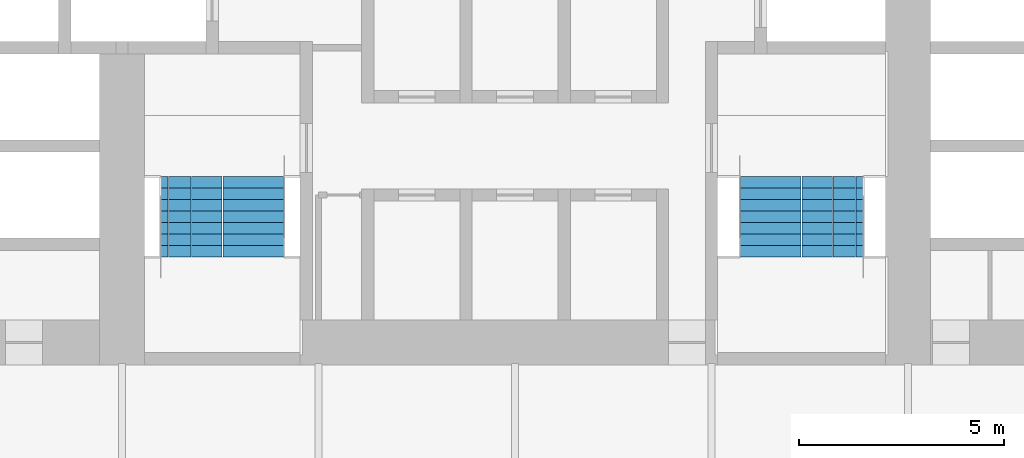
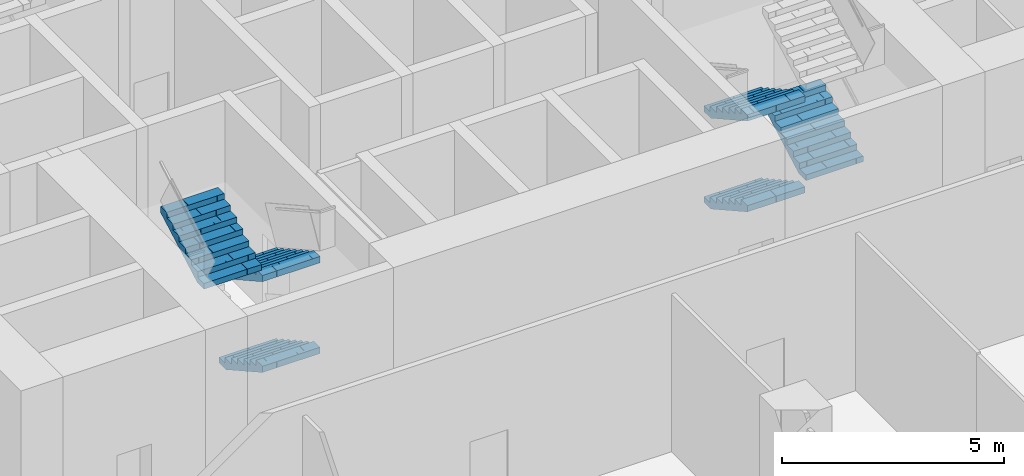
# One storey, part 25 of 34: 6 stair flights, 2 elements without a shape of their own.
"""IFC4 building model written with IfcOpenShell, lengths in metres."""

from ifc_helpers import new_model, si_unit, direction, frame, origin, place, context, subcontext, project, spatial, polyline, outline, extrude, material, type_object, element, aggregate, save


model = new_model("IFC4")

# Units and contexts
model_context = context("Model", 3, precision=1e-05, world=origin(), true_north=direction((0.0, 1.0)))
body_context = subcontext(model_context, "Body", "Model", "MODEL_VIEW")
ifc_project = project(units=[si_unit("LENGTHUNIT", "METRE"), si_unit("AREAUNIT", "SQUARE_METRE"), si_unit("VOLUMEUNIT", "CUBIC_METRE"), si_unit("PLANEANGLEUNIT", "RADIAN"), si_unit("MASSUNIT", "GRAM", prefix="KILO")], contexts=[model_context])

# Site, building, storey
site_placement = place(None, origin())
site = spatial("IfcSite", under=ifc_project, at=site_placement, CompositionType="ELEMENT")
building_placement = place(site_placement, origin())
building = spatial("IfcBuilding", under=site, at=building_placement, Name="Kolab Exchange Tower", CompositionType="ELEMENT")
storey_placement = place(building_placement, frame((0.0, 0.0, 12.39990234375)))
storey = spatial("IfcBuildingStorey", under=building, at=storey_placement, Name="L02", CompositionType="ELEMENT", Elevation=12.39990234375)

# Stair, stair flights
ifc_material = material(Name="Concrete C50/60", Category="concrete")
stair_type_1 = type_object("IfcStairType", Name="STAIR ST3 RISER 156.2", PredefinedType="DOUBLE_RETURN_STAIR", material=ifc_material)
stair_1_placement = place(storey_placement, origin())
stair_1 = element("IfcStair", 1, at=stair_1_placement, inside=storey, type_object=stair_type_1, Name="Stair 3", PredefinedType="DOUBLE_RETURN_STAIR")
stair_flight_type = type_object("IfcStairFlightType", Name="STAIR FLIGHT 1500 RISER 156.2", PredefinedType="STRAIGHT", material=ifc_material)
stair_flight_1_placement = place(storey_placement, frame((-6.389892578125, -5.550048828125, 0.0), z_axis=(0.0, 0.0, 1.0), x_axis=(0.0, -1.0, 0.0)))
stair_flight_1 = element("IfcStairFlight", 2, at=stair_flight_1_placement, type_object=stair_flight_type, Name="ST3 flight 1", NumberOfRisers=8, NumberOfTreads=7, PredefinedType="STRAIGHT", RiserHeight=0.15625, TreadLength=0.28, context=body_context, shape_type="SweptSolid", body=[
    extrude(outline(polyline([(0.0, 0.0), (0.0, 0.15625), (0.280029296875, 0.15625), (0.280029296875, 0.3125), (0.56005859375, 0.3125), (0.56005859375, 0.46875), (0.840087890625, 0.46875), (0.840087890625, 0.625), (1.1201171875, 0.625), (1.1201171875, 0.78125), (1.39990234375, 0.78125), (1.39990234375, 0.9375), (1.679931640625, 0.9375), (1.679931640625, 1.09375), (1.9599609375, 1.09375), (1.9599609375, 1.25), (1.9599609375, 0.922119140625), (0.3076171875, 0.0), (0.0, 0.0)])), frame((0.0, 0.75, 0.0), z_axis=(0.0, -1.0, 0.0), x_axis=(1.0, 0.0, 0.0)), (0.0, 0.0, 1.0), 0.185791015625),
    extrude(outline(polyline([(0.0, 0.0), (0.0, 0.15625), (0.280029296875, 0.15625), (0.280029296875, 0.3125), (0.56005859375, 0.3125), (0.56005859375, 0.46875), (0.840087890625, 0.46875), (0.840087890625, 0.625), (1.1201171875, 0.625), (1.1201171875, 0.78125), (1.39990234375, 0.78125), (1.39990234375, 0.9375), (1.679931640625, 0.9375), (1.679931640625, 1.09375), (1.9599609375, 1.09375), (1.9599609375, 1.25), (1.9599609375, 0.922119140625), (0.3076171875, 0.0), (0.0, 0.0)])), frame((0.0, 0.562255859375, 0.0), z_axis=(0.0, -1.0, 0.0), x_axis=(1.0, 0.0, 0.0)), (0.0, 0.0, 1.0), 0.185791015625),
    extrude(outline(polyline([(0.0, 0.0), (0.0, 0.15625), (0.280029296875, 0.15625), (0.280029296875, 0.3125), (0.56005859375, 0.3125), (0.56005859375, 0.46875), (0.840087890625, 0.46875), (0.840087890625, 0.625), (1.1201171875, 0.625), (1.1201171875, 0.78125), (1.39990234375, 0.78125), (1.39990234375, 0.9375), (1.679931640625, 0.9375), (1.679931640625, 1.09375), (1.9599609375, 1.09375), (1.9599609375, 1.25), (1.9599609375, 0.922119140625), (0.3076171875, 0.0), (0.0, 0.0)])), frame((0.0, 0.37451171875, 0.0), z_axis=(0.0, -1.0, 0.0), x_axis=(1.0, 0.0, 0.0)), (0.0, 0.0, 1.0), 0.185791015625),
    extrude(outline(polyline([(0.0, 0.0), (0.0, 0.15625), (0.280029296875, 0.15625), (0.280029296875, 0.3125), (0.56005859375, 0.3125), (0.56005859375, 0.46875), (0.840087890625, 0.46875), (0.840087890625, 0.625), (1.1201171875, 0.625), (1.1201171875, 0.78125), (1.39990234375, 0.78125), (1.39990234375, 0.9375), (1.679931640625, 0.9375), (1.679931640625, 1.09375), (1.9599609375, 1.09375), (1.9599609375, 1.25), (1.9599609375, 0.922119140625), (0.3076171875, 0.0), (0.0, 0.0)])), frame((0.0, 0.186767578125, 0.0), z_axis=(0.0, -1.0, 0.0), x_axis=(1.0, 0.0, 0.0)), (0.0, 0.0, 1.0), 0.185791015625),
    extrude(outline(polyline([(0.0, 0.0), (0.0, 0.15625), (0.280029296875, 0.15625), (0.280029296875, 0.3125), (0.56005859375, 0.3125), (0.56005859375, 0.46875), (0.840087890625, 0.46875), (0.840087890625, 0.625), (1.1201171875, 0.625), (1.1201171875, 0.78125), (1.39990234375, 0.78125), (1.39990234375, 0.9375), (1.679931640625, 0.9375), (1.679931640625, 1.09375), (1.9599609375, 1.09375), (1.9599609375, 1.25), (1.9599609375, 0.922119140625), (0.3076171875, 0.0), (0.0, 0.0)])), frame((0.0, -0.0009765625, 0.0), z_axis=(0.0, -1.0, 0.0), x_axis=(1.0, 0.0, 0.0)), (0.0, 0.0, 1.0), 0.185791015625),
    extrude(outline(polyline([(0.0, 0.0), (0.0, 0.15625), (0.280029296875, 0.15625), (0.280029296875, 0.3125), (0.56005859375, 0.3125), (0.56005859375, 0.46875), (0.840087890625, 0.46875), (0.840087890625, 0.625), (1.1201171875, 0.625), (1.1201171875, 0.78125), (1.39990234375, 0.78125), (1.39990234375, 0.9375), (1.679931640625, 0.9375), (1.679931640625, 1.09375), (1.9599609375, 1.09375), (1.9599609375, 1.25), (1.9599609375, 0.922119140625), (0.3076171875, 0.0), (0.0, 0.0)])), frame((0.0, -0.188720703125, 0.0), z_axis=(0.0, -1.0, 0.0), x_axis=(1.0, 0.0, 0.0)), (0.0, 0.0, 1.0), 0.185791015625),
    extrude(outline(polyline([(0.0, 0.0), (0.0, 0.15625), (0.280029296875, 0.15625), (0.280029296875, 0.3125), (0.56005859375, 0.3125), (0.56005859375, 0.46875), (0.840087890625, 0.46875), (0.840087890625, 0.625), (1.1201171875, 0.625), (1.1201171875, 0.78125), (1.39990234375, 0.78125), (1.39990234375, 0.9375), (1.679931640625, 0.9375), (1.679931640625, 1.09375), (1.9599609375, 1.09375), (1.9599609375, 1.25), (1.9599609375, 0.922119140625), (0.3076171875, 0.0), (0.0, 0.0)])), frame((0.0, -0.37646484375, 0.0), z_axis=(0.0, -1.0, 0.0), x_axis=(1.0, 0.0, 0.0)), (0.0, 0.0, 1.0), 0.185791015625),
    extrude(outline(polyline([(0.0, 0.0), (0.0, 0.15625), (0.280029296875, 0.15625), (0.280029296875, 0.3125), (0.56005859375, 0.3125), (0.56005859375, 0.46875), (0.840087890625, 0.46875), (0.840087890625, 0.625), (1.1201171875, 0.625), (1.1201171875, 0.78125), (1.39990234375, 0.78125), (1.39990234375, 0.9375), (1.679931640625, 0.9375), (1.679931640625, 1.09375), (1.9599609375, 1.09375), (1.9599609375, 1.25), (1.9599609375, 0.922119140625), (0.3076171875, 0.0), (0.0, 0.0)])), frame((0.0, -0.564208984375, 0.0), z_axis=(0.0, -1.0, 0.0), x_axis=(1.0, 0.0, 0.0)), (0.0, 0.0, 1.0), 0.185791015625),
])
stair_flight_2_placement = place(storey_placement, frame((-6.389892578125, -5.550048828125, 2.5), z_axis=(0.0, 0.0, 1.0), x_axis=(0.0, -1.0, 0.0)))
stair_flight_2 = element("IfcStairFlight", 3, at=stair_flight_2_placement, type_object=stair_flight_type, Name="ST3 flight 3", NumberOfRisers=8, NumberOfTreads=7, PredefinedType="STRAIGHT", RiserHeight=0.15625, TreadLength=0.28, context=body_context, shape_type="SweptSolid", body=[
    extrude(outline(polyline([(0.0, 0.0), (0.0, 0.15625), (0.280029296875, 0.15625), (0.280029296875, 0.3125), (0.56005859375, 0.3125), (0.56005859375, 0.46875), (0.840087890625, 0.46875), (0.840087890625, 0.625), (1.1201171875, 0.625), (1.1201171875, 0.78125), (1.39990234375, 0.78125), (1.39990234375, 0.9375), (1.679931640625, 0.9375), (1.679931640625, 1.09375), (1.9599609375, 1.09375), (1.9599609375, 1.25), (1.9599609375, 0.922119140625), (0.3076171875, 0.0), (0.0, 0.0)])), frame((0.0, 0.75, 0.0), z_axis=(0.0, -1.0, 0.0), x_axis=(1.0, 0.0, 0.0)), (0.0, 0.0, 1.0), 0.185791015625),
    extrude(outline(polyline([(0.0, 0.0), (0.0, 0.15625), (0.280029296875, 0.15625), (0.280029296875, 0.3125), (0.56005859375, 0.3125), (0.56005859375, 0.46875), (0.840087890625, 0.46875), (0.840087890625, 0.625), (1.1201171875, 0.625), (1.1201171875, 0.78125), (1.39990234375, 0.78125), (1.39990234375, 0.9375), (1.679931640625, 0.9375), (1.679931640625, 1.09375), (1.9599609375, 1.09375), (1.9599609375, 1.25), (1.9599609375, 0.922119140625), (0.3076171875, 0.0), (0.0, 0.0)])), frame((0.0, 0.562255859375, 0.0), z_axis=(0.0, -1.0, 0.0), x_axis=(1.0, 0.0, 0.0)), (0.0, 0.0, 1.0), 0.185791015625),
    extrude(outline(polyline([(0.0, 0.0), (0.0, 0.15625), (0.280029296875, 0.15625), (0.280029296875, 0.3125), (0.56005859375, 0.3125), (0.56005859375, 0.46875), (0.840087890625, 0.46875), (0.840087890625, 0.625), (1.1201171875, 0.625), (1.1201171875, 0.78125), (1.39990234375, 0.78125), (1.39990234375, 0.9375), (1.679931640625, 0.9375), (1.679931640625, 1.09375), (1.9599609375, 1.09375), (1.9599609375, 1.25), (1.9599609375, 0.922119140625), (0.3076171875, 0.0), (0.0, 0.0)])), frame((0.0, 0.37451171875, 0.0), z_axis=(0.0, -1.0, 0.0), x_axis=(1.0, 0.0, 0.0)), (0.0, 0.0, 1.0), 0.185791015625),
    extrude(outline(polyline([(0.0, 0.0), (0.0, 0.15625), (0.280029296875, 0.15625), (0.280029296875, 0.3125), (0.56005859375, 0.3125), (0.56005859375, 0.46875), (0.840087890625, 0.46875), (0.840087890625, 0.625), (1.1201171875, 0.625), (1.1201171875, 0.78125), (1.39990234375, 0.78125), (1.39990234375, 0.9375), (1.679931640625, 0.9375), (1.679931640625, 1.09375), (1.9599609375, 1.09375), (1.9599609375, 1.25), (1.9599609375, 0.922119140625), (0.3076171875, 0.0), (0.0, 0.0)])), frame((0.0, 0.186767578125, 0.0), z_axis=(0.0, -1.0, 0.0), x_axis=(1.0, 0.0, 0.0)), (0.0, 0.0, 1.0), 0.185791015625),
    extrude(outline(polyline([(0.0, 0.0), (0.0, 0.15625), (0.280029296875, 0.15625), (0.280029296875, 0.3125), (0.56005859375, 0.3125), (0.56005859375, 0.46875), (0.840087890625, 0.46875), (0.840087890625, 0.625), (1.1201171875, 0.625), (1.1201171875, 0.78125), (1.39990234375, 0.78125), (1.39990234375, 0.9375), (1.679931640625, 0.9375), (1.679931640625, 1.09375), (1.9599609375, 1.09375), (1.9599609375, 1.25), (1.9599609375, 0.922119140625), (0.3076171875, 0.0), (0.0, 0.0)])), frame((0.0, -0.0009765625, 0.0), z_axis=(0.0, -1.0, 0.0), x_axis=(1.0, 0.0, 0.0)), (0.0, 0.0, 1.0), 0.185791015625),
    extrude(outline(polyline([(0.0, 0.0), (0.0, 0.15625), (0.280029296875, 0.15625), (0.280029296875, 0.3125), (0.56005859375, 0.3125), (0.56005859375, 0.46875), (0.840087890625, 0.46875), (0.840087890625, 0.625), (1.1201171875, 0.625), (1.1201171875, 0.78125), (1.39990234375, 0.78125), (1.39990234375, 0.9375), (1.679931640625, 0.9375), (1.679931640625, 1.09375), (1.9599609375, 1.09375), (1.9599609375, 1.25), (1.9599609375, 0.922119140625), (0.3076171875, 0.0), (0.0, 0.0)])), frame((0.0, -0.188720703125, 0.0), z_axis=(0.0, -1.0, 0.0), x_axis=(1.0, 0.0, 0.0)), (0.0, 0.0, 1.0), 0.185791015625),
    extrude(outline(polyline([(0.0, 0.0), (0.0, 0.15625), (0.280029296875, 0.15625), (0.280029296875, 0.3125), (0.56005859375, 0.3125), (0.56005859375, 0.46875), (0.840087890625, 0.46875), (0.840087890625, 0.625), (1.1201171875, 0.625), (1.1201171875, 0.78125), (1.39990234375, 0.78125), (1.39990234375, 0.9375), (1.679931640625, 0.9375), (1.679931640625, 1.09375), (1.9599609375, 1.09375), (1.9599609375, 1.25), (1.9599609375, 0.922119140625), (0.3076171875, 0.0), (0.0, 0.0)])), frame((0.0, -0.37646484375, 0.0), z_axis=(0.0, -1.0, 0.0), x_axis=(1.0, 0.0, 0.0)), (0.0, 0.0, 1.0), 0.185791015625),
    extrude(outline(polyline([(0.0, 0.0), (0.0, 0.15625), (0.280029296875, 0.15625), (0.280029296875, 0.3125), (0.56005859375, 0.3125), (0.56005859375, 0.46875), (0.840087890625, 0.46875), (0.840087890625, 0.625), (1.1201171875, 0.625), (1.1201171875, 0.78125), (1.39990234375, 0.78125), (1.39990234375, 0.9375), (1.679931640625, 0.9375), (1.679931640625, 1.09375), (1.9599609375, 1.09375), (1.9599609375, 1.25), (1.9599609375, 0.922119140625), (0.3076171875, 0.0), (0.0, 0.0)])), frame((0.0, -0.564208984375, 0.0), z_axis=(0.0, -1.0, 0.0), x_axis=(1.0, 0.0, 0.0)), (0.0, 0.0, 1.0), 0.185791015625),
])
stair_flight_3_placement = place(storey_placement, frame((-7.909912109375, -7.510009765625, 3.75), z_axis=(0.0, 0.0, 1.0), x_axis=(0.0, 1.0, 0.0)))
stair_flight_3 = element("IfcStairFlight", 4, at=stair_flight_3_placement, type_object=stair_flight_type, Name="ST3 flight 4", NumberOfRisers=8, NumberOfTreads=7, PredefinedType="STRAIGHT", RiserHeight=0.15625, TreadLength=0.28, context=body_context, shape_type="SweptSolid", body=[
    extrude(outline(polyline([(0.0, 0.0), (0.0, 0.15625), (0.280029296875, 0.15625), (0.280029296875, 0.3125), (0.56005859375, 0.3125), (0.56005859375, 0.46875), (0.840087890625, 0.46875), (0.840087890625, 0.625), (1.1201171875, 0.625), (1.1201171875, 0.78125), (1.39990234375, 0.78125), (1.39990234375, 0.9375), (1.679931640625, 0.9375), (1.679931640625, 1.09375), (1.9599609375, 1.09375), (1.9599609375, 1.25), (1.9599609375, 0.922119140625), (0.3076171875, 0.0), (0.0, 0.0)])), frame((0.0, 0.75, 0.0), z_axis=(0.0, -1.0, 0.0), x_axis=(1.0, 0.0, 0.0)), (0.0, 0.0, 1.0), 0.185791015625),
    extrude(outline(polyline([(0.0, 0.0), (0.0, 0.15625), (0.280029296875, 0.15625), (0.280029296875, 0.3125), (0.56005859375, 0.3125), (0.56005859375, 0.46875), (0.840087890625, 0.46875), (0.840087890625, 0.625), (1.1201171875, 0.625), (1.1201171875, 0.78125), (1.39990234375, 0.78125), (1.39990234375, 0.9375), (1.679931640625, 0.9375), (1.679931640625, 1.09375), (1.9599609375, 1.09375), (1.9599609375, 1.25), (1.9599609375, 0.922119140625), (0.3076171875, 0.0), (0.0, 0.0)])), frame((0.0, 0.562255859375, 0.0), z_axis=(0.0, -1.0, 0.0), x_axis=(1.0, 0.0, 0.0)), (0.0, 0.0, 1.0), 0.185791015625),
    extrude(outline(polyline([(0.0, 0.0), (0.0, 0.15625), (0.280029296875, 0.15625), (0.280029296875, 0.3125), (0.56005859375, 0.3125), (0.56005859375, 0.46875), (0.840087890625, 0.46875), (0.840087890625, 0.625), (1.1201171875, 0.625), (1.1201171875, 0.78125), (1.39990234375, 0.78125), (1.39990234375, 0.9375), (1.679931640625, 0.9375), (1.679931640625, 1.09375), (1.9599609375, 1.09375), (1.9599609375, 1.25), (1.9599609375, 0.922119140625), (0.3076171875, 0.0), (0.0, 0.0)])), frame((0.0, 0.37451171875, 0.0), z_axis=(0.0, -1.0, 0.0), x_axis=(1.0, 0.0, 0.0)), (0.0, 0.0, 1.0), 0.185791015625),
    extrude(outline(polyline([(0.0, 0.0), (0.0, 0.15625), (0.280029296875, 0.15625), (0.280029296875, 0.3125), (0.56005859375, 0.3125), (0.56005859375, 0.46875), (0.840087890625, 0.46875), (0.840087890625, 0.625), (1.1201171875, 0.625), (1.1201171875, 0.78125), (1.39990234375, 0.78125), (1.39990234375, 0.9375), (1.679931640625, 0.9375), (1.679931640625, 1.09375), (1.9599609375, 1.09375), (1.9599609375, 1.25), (1.9599609375, 0.922119140625), (0.3076171875, 0.0), (0.0, 0.0)])), frame((0.0, 0.186767578125, 0.0), z_axis=(0.0, -1.0, 0.0), x_axis=(1.0, 0.0, 0.0)), (0.0, 0.0, 1.0), 0.185791015625),
    extrude(outline(polyline([(0.0, 0.0), (0.0, 0.15625), (0.280029296875, 0.15625), (0.280029296875, 0.3125), (0.56005859375, 0.3125), (0.56005859375, 0.46875), (0.840087890625, 0.46875), (0.840087890625, 0.625), (1.1201171875, 0.625), (1.1201171875, 0.78125), (1.39990234375, 0.78125), (1.39990234375, 0.9375), (1.679931640625, 0.9375), (1.679931640625, 1.09375), (1.9599609375, 1.09375), (1.9599609375, 1.25), (1.9599609375, 0.922119140625), (0.3076171875, 0.0), (0.0, 0.0)])), frame((0.0, -0.0009765625, 0.0), z_axis=(0.0, -1.0, 0.0), x_axis=(1.0, 0.0, 0.0)), (0.0, 0.0, 1.0), 0.185791015625),
    extrude(outline(polyline([(0.0, 0.0), (0.0, 0.15625), (0.280029296875, 0.15625), (0.280029296875, 0.3125), (0.56005859375, 0.3125), (0.56005859375, 0.46875), (0.840087890625, 0.46875), (0.840087890625, 0.625), (1.1201171875, 0.625), (1.1201171875, 0.78125), (1.39990234375, 0.78125), (1.39990234375, 0.9375), (1.679931640625, 0.9375), (1.679931640625, 1.09375), (1.9599609375, 1.09375), (1.9599609375, 1.25), (1.9599609375, 0.922119140625), (0.3076171875, 0.0), (0.0, 0.0)])), frame((0.0, -0.188720703125, 0.0), z_axis=(0.0, -1.0, 0.0), x_axis=(1.0, 0.0, 0.0)), (0.0, 0.0, 1.0), 0.185791015625),
    extrude(outline(polyline([(0.0, 0.0), (0.0, 0.15625), (0.280029296875, 0.15625), (0.280029296875, 0.3125), (0.56005859375, 0.3125), (0.56005859375, 0.46875), (0.840087890625, 0.46875), (0.840087890625, 0.625), (1.1201171875, 0.625), (1.1201171875, 0.78125), (1.39990234375, 0.78125), (1.39990234375, 0.9375), (1.679931640625, 0.9375), (1.679931640625, 1.09375), (1.9599609375, 1.09375), (1.9599609375, 1.25), (1.9599609375, 0.922119140625), (0.3076171875, 0.0), (0.0, 0.0)])), frame((0.0, -0.37646484375, 0.0), z_axis=(0.0, -1.0, 0.0), x_axis=(1.0, 0.0, 0.0)), (0.0, 0.0, 1.0), 0.185791015625),
    extrude(outline(polyline([(0.0, 0.0), (0.0, 0.15625), (0.280029296875, 0.15625), (0.280029296875, 0.3125), (0.56005859375, 0.3125), (0.56005859375, 0.46875), (0.840087890625, 0.46875), (0.840087890625, 0.625), (1.1201171875, 0.625), (1.1201171875, 0.78125), (1.39990234375, 0.78125), (1.39990234375, 0.9375), (1.679931640625, 0.9375), (1.679931640625, 1.09375), (1.9599609375, 1.09375), (1.9599609375, 1.25), (1.9599609375, 0.922119140625), (0.3076171875, 0.0), (0.0, 0.0)])), frame((0.0, -0.564208984375, 0.0), z_axis=(0.0, -1.0, 0.0), x_axis=(1.0, 0.0, 0.0)), (0.0, 0.0, 1.0), 0.185791015625),
])
aggregate(stair_1, [stair_flight_1, stair_flight_2, stair_flight_3])

stair_type_2 = type_object("IfcStairType", Name="STAIR ST2 RISER 156.2", PredefinedType="DOUBLE_RETURN_STAIR", material=ifc_material)
stair_2_placement = place(storey_placement, origin())
stair_2 = element("IfcStair", 5, at=stair_2_placement, inside=storey, type_object=stair_type_2, Name="Stair 2", PredefinedType="DOUBLE_RETURN_STAIR")
stair_flight_4_placement = place(storey_placement, frame((6.239990234375, -5.550048828125, 0.0), z_axis=(0.0, 0.0, 1.0), x_axis=(0.0, -1.0, 0.0)))
stair_flight_4 = element("IfcStairFlight", 6, at=stair_flight_4_placement, type_object=stair_flight_type, Name="ST2 flight 1", NumberOfRisers=8, NumberOfTreads=7, PredefinedType="STRAIGHT", RiserHeight=0.15625, TreadLength=0.28, context=body_context, shape_type="SweptSolid", body=[
    extrude(outline(polyline([(0.0, 0.0), (0.0, 0.15625), (0.280029296875, 0.15625), (0.280029296875, 0.3125), (0.56005859375, 0.3125), (0.56005859375, 0.46875), (0.840087890625, 0.46875), (0.840087890625, 0.625), (1.1201171875, 0.625), (1.1201171875, 0.78125), (1.39990234375, 0.78125), (1.39990234375, 0.9375), (1.679931640625, 0.9375), (1.679931640625, 1.09375), (1.9599609375, 1.09375), (1.9599609375, 1.25), (1.9599609375, 0.922119140625), (0.3076171875, 0.0), (0.0, 0.0)])), frame((0.0, 0.75, 0.0), z_axis=(0.0, -1.0, 0.0), x_axis=(1.0, 0.0, 0.0)), (0.0, 0.0, 1.0), 0.185791015625),
    extrude(outline(polyline([(0.0, 0.0), (0.0, 0.15625), (0.280029296875, 0.15625), (0.280029296875, 0.3125), (0.56005859375, 0.3125), (0.56005859375, 0.46875), (0.840087890625, 0.46875), (0.840087890625, 0.625), (1.1201171875, 0.625), (1.1201171875, 0.78125), (1.39990234375, 0.78125), (1.39990234375, 0.9375), (1.679931640625, 0.9375), (1.679931640625, 1.09375), (1.9599609375, 1.09375), (1.9599609375, 1.25), (1.9599609375, 0.922119140625), (0.3076171875, 0.0), (0.0, 0.0)])), frame((0.0, 0.562255859375, 0.0), z_axis=(0.0, -1.0, 0.0), x_axis=(1.0, 0.0, 0.0)), (0.0, 0.0, 1.0), 0.185791015625),
    extrude(outline(polyline([(0.0, 0.0), (0.0, 0.15625), (0.280029296875, 0.15625), (0.280029296875, 0.3125), (0.56005859375, 0.3125), (0.56005859375, 0.46875), (0.840087890625, 0.46875), (0.840087890625, 0.625), (1.1201171875, 0.625), (1.1201171875, 0.78125), (1.39990234375, 0.78125), (1.39990234375, 0.9375), (1.679931640625, 0.9375), (1.679931640625, 1.09375), (1.9599609375, 1.09375), (1.9599609375, 1.25), (1.9599609375, 0.922119140625), (0.3076171875, 0.0), (0.0, 0.0)])), frame((0.0, 0.37451171875, 0.0), z_axis=(0.0, -1.0, 0.0), x_axis=(1.0, 0.0, 0.0)), (0.0, 0.0, 1.0), 0.185791015625),
    extrude(outline(polyline([(0.0, 0.0), (0.0, 0.15625), (0.280029296875, 0.15625), (0.280029296875, 0.3125), (0.56005859375, 0.3125), (0.56005859375, 0.46875), (0.840087890625, 0.46875), (0.840087890625, 0.625), (1.1201171875, 0.625), (1.1201171875, 0.78125), (1.39990234375, 0.78125), (1.39990234375, 0.9375), (1.679931640625, 0.9375), (1.679931640625, 1.09375), (1.9599609375, 1.09375), (1.9599609375, 1.25), (1.9599609375, 0.922119140625), (0.3076171875, 0.0), (0.0, 0.0)])), frame((0.0, 0.186767578125, 0.0), z_axis=(0.0, -1.0, 0.0), x_axis=(1.0, 0.0, 0.0)), (0.0, 0.0, 1.0), 0.185791015625),
    extrude(outline(polyline([(0.0, 0.0), (0.0, 0.15625), (0.280029296875, 0.15625), (0.280029296875, 0.3125), (0.56005859375, 0.3125), (0.56005859375, 0.46875), (0.840087890625, 0.46875), (0.840087890625, 0.625), (1.1201171875, 0.625), (1.1201171875, 0.78125), (1.39990234375, 0.78125), (1.39990234375, 0.9375), (1.679931640625, 0.9375), (1.679931640625, 1.09375), (1.9599609375, 1.09375), (1.9599609375, 1.25), (1.9599609375, 0.922119140625), (0.3076171875, 0.0), (0.0, 0.0)])), frame((0.0, -0.0009765625, 0.0), z_axis=(0.0, -1.0, 0.0), x_axis=(1.0, 0.0, 0.0)), (0.0, 0.0, 1.0), 0.185791015625),
    extrude(outline(polyline([(0.0, 0.0), (0.0, 0.15625), (0.280029296875, 0.15625), (0.280029296875, 0.3125), (0.56005859375, 0.3125), (0.56005859375, 0.46875), (0.840087890625, 0.46875), (0.840087890625, 0.625), (1.1201171875, 0.625), (1.1201171875, 0.78125), (1.39990234375, 0.78125), (1.39990234375, 0.9375), (1.679931640625, 0.9375), (1.679931640625, 1.09375), (1.9599609375, 1.09375), (1.9599609375, 1.25), (1.9599609375, 0.922119140625), (0.3076171875, 0.0), (0.0, 0.0)])), frame((0.0, -0.188720703125, 0.0), z_axis=(0.0, -1.0, 0.0), x_axis=(1.0, 0.0, 0.0)), (0.0, 0.0, 1.0), 0.185791015625),
    extrude(outline(polyline([(0.0, 0.0), (0.0, 0.15625), (0.280029296875, 0.15625), (0.280029296875, 0.3125), (0.56005859375, 0.3125), (0.56005859375, 0.46875), (0.840087890625, 0.46875), (0.840087890625, 0.625), (1.1201171875, 0.625), (1.1201171875, 0.78125), (1.39990234375, 0.78125), (1.39990234375, 0.9375), (1.679931640625, 0.9375), (1.679931640625, 1.09375), (1.9599609375, 1.09375), (1.9599609375, 1.25), (1.9599609375, 0.922119140625), (0.3076171875, 0.0), (0.0, 0.0)])), frame((0.0, -0.37646484375, 0.0), z_axis=(0.0, -1.0, 0.0), x_axis=(1.0, 0.0, 0.0)), (0.0, 0.0, 1.0), 0.185791015625),
    extrude(outline(polyline([(0.0, 0.0), (0.0, 0.15625), (0.280029296875, 0.15625), (0.280029296875, 0.3125), (0.56005859375, 0.3125), (0.56005859375, 0.46875), (0.840087890625, 0.46875), (0.840087890625, 0.625), (1.1201171875, 0.625), (1.1201171875, 0.78125), (1.39990234375, 0.78125), (1.39990234375, 0.9375), (1.679931640625, 0.9375), (1.679931640625, 1.09375), (1.9599609375, 1.09375), (1.9599609375, 1.25), (1.9599609375, 0.922119140625), (0.3076171875, 0.0), (0.0, 0.0)])), frame((0.0, -0.564208984375, 0.0), z_axis=(0.0, -1.0, 0.0), x_axis=(1.0, 0.0, 0.0)), (0.0, 0.0, 1.0), 0.185791015625),
])
stair_flight_5_placement = place(storey_placement, frame((7.760009765625, -7.510009765625, 1.25), z_axis=(0.0, 0.0, 1.0), x_axis=(0.0, 1.0, 0.0)))
stair_flight_5 = element("IfcStairFlight", 7, at=stair_flight_5_placement, type_object=stair_flight_type, Name="ST2 flight 2", NumberOfRisers=8, NumberOfTreads=7, PredefinedType="STRAIGHT", RiserHeight=0.15625, TreadLength=0.28, context=body_context, shape_type="SweptSolid", body=[
    extrude(outline(polyline([(0.0, 0.0), (0.0, 0.15625), (0.280029296875, 0.15625), (0.280029296875, 0.3125), (0.56005859375, 0.3125), (0.56005859375, 0.46875), (0.840087890625, 0.46875), (0.840087890625, 0.625), (1.1201171875, 0.625), (1.1201171875, 0.78125), (1.39990234375, 0.78125), (1.39990234375, 0.9375), (1.679931640625, 0.9375), (1.679931640625, 1.09375), (1.9599609375, 1.09375), (1.9599609375, 1.25), (1.9599609375, 0.922119140625), (0.3076171875, 0.0), (0.0, 0.0)])), frame((0.0, 0.75, 0.0), z_axis=(0.0, -1.0, 0.0), x_axis=(1.0, 0.0, 0.0)), (0.0, 0.0, 1.0), 0.185791015625),
    extrude(outline(polyline([(0.0, 0.0), (0.0, 0.15625), (0.280029296875, 0.15625), (0.280029296875, 0.3125), (0.56005859375, 0.3125), (0.56005859375, 0.46875), (0.840087890625, 0.46875), (0.840087890625, 0.625), (1.1201171875, 0.625), (1.1201171875, 0.78125), (1.39990234375, 0.78125), (1.39990234375, 0.9375), (1.679931640625, 0.9375), (1.679931640625, 1.09375), (1.9599609375, 1.09375), (1.9599609375, 1.25), (1.9599609375, 0.922119140625), (0.3076171875, 0.0), (0.0, 0.0)])), frame((0.0, 0.562255859375, 0.0), z_axis=(0.0, -1.0, 0.0), x_axis=(1.0, 0.0, 0.0)), (0.0, 0.0, 1.0), 0.185791015625),
    extrude(outline(polyline([(0.0, 0.0), (0.0, 0.15625), (0.280029296875, 0.15625), (0.280029296875, 0.3125), (0.56005859375, 0.3125), (0.56005859375, 0.46875), (0.840087890625, 0.46875), (0.840087890625, 0.625), (1.1201171875, 0.625), (1.1201171875, 0.78125), (1.39990234375, 0.78125), (1.39990234375, 0.9375), (1.679931640625, 0.9375), (1.679931640625, 1.09375), (1.9599609375, 1.09375), (1.9599609375, 1.25), (1.9599609375, 0.922119140625), (0.3076171875, 0.0), (0.0, 0.0)])), frame((0.0, 0.37451171875, 0.0), z_axis=(0.0, -1.0, 0.0), x_axis=(1.0, 0.0, 0.0)), (0.0, 0.0, 1.0), 0.185791015625),
    extrude(outline(polyline([(0.0, 0.0), (0.0, 0.15625), (0.280029296875, 0.15625), (0.280029296875, 0.3125), (0.56005859375, 0.3125), (0.56005859375, 0.46875), (0.840087890625, 0.46875), (0.840087890625, 0.625), (1.1201171875, 0.625), (1.1201171875, 0.78125), (1.39990234375, 0.78125), (1.39990234375, 0.9375), (1.679931640625, 0.9375), (1.679931640625, 1.09375), (1.9599609375, 1.09375), (1.9599609375, 1.25), (1.9599609375, 0.922119140625), (0.3076171875, 0.0), (0.0, 0.0)])), frame((0.0, 0.186767578125, 0.0), z_axis=(0.0, -1.0, 0.0), x_axis=(1.0, 0.0, 0.0)), (0.0, 0.0, 1.0), 0.185791015625),
    extrude(outline(polyline([(0.0, 0.0), (0.0, 0.15625), (0.280029296875, 0.15625), (0.280029296875, 0.3125), (0.56005859375, 0.3125), (0.56005859375, 0.46875), (0.840087890625, 0.46875), (0.840087890625, 0.625), (1.1201171875, 0.625), (1.1201171875, 0.78125), (1.39990234375, 0.78125), (1.39990234375, 0.9375), (1.679931640625, 0.9375), (1.679931640625, 1.09375), (1.9599609375, 1.09375), (1.9599609375, 1.25), (1.9599609375, 0.922119140625), (0.3076171875, 0.0), (0.0, 0.0)])), frame((0.0, -0.0009765625, 0.0), z_axis=(0.0, -1.0, 0.0), x_axis=(1.0, 0.0, 0.0)), (0.0, 0.0, 1.0), 0.185791015625),
    extrude(outline(polyline([(0.0, 0.0), (0.0, 0.15625), (0.280029296875, 0.15625), (0.280029296875, 0.3125), (0.56005859375, 0.3125), (0.56005859375, 0.46875), (0.840087890625, 0.46875), (0.840087890625, 0.625), (1.1201171875, 0.625), (1.1201171875, 0.78125), (1.39990234375, 0.78125), (1.39990234375, 0.9375), (1.679931640625, 0.9375), (1.679931640625, 1.09375), (1.9599609375, 1.09375), (1.9599609375, 1.25), (1.9599609375, 0.922119140625), (0.3076171875, 0.0), (0.0, 0.0)])), frame((0.0, -0.188720703125, 0.0), z_axis=(0.0, -1.0, 0.0), x_axis=(1.0, 0.0, 0.0)), (0.0, 0.0, 1.0), 0.185791015625),
    extrude(outline(polyline([(0.0, 0.0), (0.0, 0.15625), (0.280029296875, 0.15625), (0.280029296875, 0.3125), (0.56005859375, 0.3125), (0.56005859375, 0.46875), (0.840087890625, 0.46875), (0.840087890625, 0.625), (1.1201171875, 0.625), (1.1201171875, 0.78125), (1.39990234375, 0.78125), (1.39990234375, 0.9375), (1.679931640625, 0.9375), (1.679931640625, 1.09375), (1.9599609375, 1.09375), (1.9599609375, 1.25), (1.9599609375, 0.922119140625), (0.3076171875, 0.0), (0.0, 0.0)])), frame((0.0, -0.37646484375, 0.0), z_axis=(0.0, -1.0, 0.0), x_axis=(1.0, 0.0, 0.0)), (0.0, 0.0, 1.0), 0.185791015625),
    extrude(outline(polyline([(0.0, 0.0), (0.0, 0.15625), (0.280029296875, 0.15625), (0.280029296875, 0.3125), (0.56005859375, 0.3125), (0.56005859375, 0.46875), (0.840087890625, 0.46875), (0.840087890625, 0.625), (1.1201171875, 0.625), (1.1201171875, 0.78125), (1.39990234375, 0.78125), (1.39990234375, 0.9375), (1.679931640625, 0.9375), (1.679931640625, 1.09375), (1.9599609375, 1.09375), (1.9599609375, 1.25), (1.9599609375, 0.922119140625), (0.3076171875, 0.0), (0.0, 0.0)])), frame((0.0, -0.564208984375, 0.0), z_axis=(0.0, -1.0, 0.0), x_axis=(1.0, 0.0, 0.0)), (0.0, 0.0, 1.0), 0.185791015625),
])
stair_flight_6_placement = place(storey_placement, frame((6.239990234375, -5.550048828125, 2.5), z_axis=(0.0, 0.0, 1.0), x_axis=(0.0, -1.0, 0.0)))
stair_flight_6 = element("IfcStairFlight", 8, at=stair_flight_6_placement, type_object=stair_flight_type, Name="ST2 flight 3", NumberOfRisers=8, NumberOfTreads=7, PredefinedType="STRAIGHT", RiserHeight=0.15625, TreadLength=0.28, context=body_context, shape_type="SweptSolid", body=[
    extrude(outline(polyline([(0.0, 0.0), (0.0, 0.15625), (0.280029296875, 0.15625), (0.280029296875, 0.3125), (0.56005859375, 0.3125), (0.56005859375, 0.46875), (0.840087890625, 0.46875), (0.840087890625, 0.625), (1.1201171875, 0.625), (1.1201171875, 0.78125), (1.39990234375, 0.78125), (1.39990234375, 0.9375), (1.679931640625, 0.9375), (1.679931640625, 1.09375), (1.9599609375, 1.09375), (1.9599609375, 1.25), (1.9599609375, 0.922119140625), (0.3076171875, 0.0), (0.0, 0.0)])), frame((0.0, 0.75, 0.0), z_axis=(0.0, -1.0, 0.0), x_axis=(1.0, 0.0, 0.0)), (0.0, 0.0, 1.0), 0.185791015625),
    extrude(outline(polyline([(0.0, 0.0), (0.0, 0.15625), (0.280029296875, 0.15625), (0.280029296875, 0.3125), (0.56005859375, 0.3125), (0.56005859375, 0.46875), (0.840087890625, 0.46875), (0.840087890625, 0.625), (1.1201171875, 0.625), (1.1201171875, 0.78125), (1.39990234375, 0.78125), (1.39990234375, 0.9375), (1.679931640625, 0.9375), (1.679931640625, 1.09375), (1.9599609375, 1.09375), (1.9599609375, 1.25), (1.9599609375, 0.922119140625), (0.3076171875, 0.0), (0.0, 0.0)])), frame((0.0, 0.562255859375, 0.0), z_axis=(0.0, -1.0, 0.0), x_axis=(1.0, 0.0, 0.0)), (0.0, 0.0, 1.0), 0.185791015625),
    extrude(outline(polyline([(0.0, 0.0), (0.0, 0.15625), (0.280029296875, 0.15625), (0.280029296875, 0.3125), (0.56005859375, 0.3125), (0.56005859375, 0.46875), (0.840087890625, 0.46875), (0.840087890625, 0.625), (1.1201171875, 0.625), (1.1201171875, 0.78125), (1.39990234375, 0.78125), (1.39990234375, 0.9375), (1.679931640625, 0.9375), (1.679931640625, 1.09375), (1.9599609375, 1.09375), (1.9599609375, 1.25), (1.9599609375, 0.922119140625), (0.3076171875, 0.0), (0.0, 0.0)])), frame((0.0, 0.37451171875, 0.0), z_axis=(0.0, -1.0, 0.0), x_axis=(1.0, 0.0, 0.0)), (0.0, 0.0, 1.0), 0.185791015625),
    extrude(outline(polyline([(0.0, 0.0), (0.0, 0.15625), (0.280029296875, 0.15625), (0.280029296875, 0.3125), (0.56005859375, 0.3125), (0.56005859375, 0.46875), (0.840087890625, 0.46875), (0.840087890625, 0.625), (1.1201171875, 0.625), (1.1201171875, 0.78125), (1.39990234375, 0.78125), (1.39990234375, 0.9375), (1.679931640625, 0.9375), (1.679931640625, 1.09375), (1.9599609375, 1.09375), (1.9599609375, 1.25), (1.9599609375, 0.922119140625), (0.3076171875, 0.0), (0.0, 0.0)])), frame((0.0, 0.186767578125, 0.0), z_axis=(0.0, -1.0, 0.0), x_axis=(1.0, 0.0, 0.0)), (0.0, 0.0, 1.0), 0.185791015625),
    extrude(outline(polyline([(0.0, 0.0), (0.0, 0.15625), (0.280029296875, 0.15625), (0.280029296875, 0.3125), (0.56005859375, 0.3125), (0.56005859375, 0.46875), (0.840087890625, 0.46875), (0.840087890625, 0.625), (1.1201171875, 0.625), (1.1201171875, 0.78125), (1.39990234375, 0.78125), (1.39990234375, 0.9375), (1.679931640625, 0.9375), (1.679931640625, 1.09375), (1.9599609375, 1.09375), (1.9599609375, 1.25), (1.9599609375, 0.922119140625), (0.3076171875, 0.0), (0.0, 0.0)])), frame((0.0, -0.0009765625, 0.0), z_axis=(0.0, -1.0, 0.0), x_axis=(1.0, 0.0, 0.0)), (0.0, 0.0, 1.0), 0.185791015625),
    extrude(outline(polyline([(0.0, 0.0), (0.0, 0.15625), (0.280029296875, 0.15625), (0.280029296875, 0.3125), (0.56005859375, 0.3125), (0.56005859375, 0.46875), (0.840087890625, 0.46875), (0.840087890625, 0.625), (1.1201171875, 0.625), (1.1201171875, 0.78125), (1.39990234375, 0.78125), (1.39990234375, 0.9375), (1.679931640625, 0.9375), (1.679931640625, 1.09375), (1.9599609375, 1.09375), (1.9599609375, 1.25), (1.9599609375, 0.922119140625), (0.3076171875, 0.0), (0.0, 0.0)])), frame((0.0, -0.188720703125, 0.0), z_axis=(0.0, -1.0, 0.0), x_axis=(1.0, 0.0, 0.0)), (0.0, 0.0, 1.0), 0.185791015625),
    extrude(outline(polyline([(0.0, 0.0), (0.0, 0.15625), (0.280029296875, 0.15625), (0.280029296875, 0.3125), (0.56005859375, 0.3125), (0.56005859375, 0.46875), (0.840087890625, 0.46875), (0.840087890625, 0.625), (1.1201171875, 0.625), (1.1201171875, 0.78125), (1.39990234375, 0.78125), (1.39990234375, 0.9375), (1.679931640625, 0.9375), (1.679931640625, 1.09375), (1.9599609375, 1.09375), (1.9599609375, 1.25), (1.9599609375, 0.922119140625), (0.3076171875, 0.0), (0.0, 0.0)])), frame((0.0, -0.37646484375, 0.0), z_axis=(0.0, -1.0, 0.0), x_axis=(1.0, 0.0, 0.0)), (0.0, 0.0, 1.0), 0.185791015625),
    extrude(outline(polyline([(0.0, 0.0), (0.0, 0.15625), (0.280029296875, 0.15625), (0.280029296875, 0.3125), (0.56005859375, 0.3125), (0.56005859375, 0.46875), (0.840087890625, 0.46875), (0.840087890625, 0.625), (1.1201171875, 0.625), (1.1201171875, 0.78125), (1.39990234375, 0.78125), (1.39990234375, 0.9375), (1.679931640625, 0.9375), (1.679931640625, 1.09375), (1.9599609375, 1.09375), (1.9599609375, 1.25), (1.9599609375, 0.922119140625), (0.3076171875, 0.0), (0.0, 0.0)])), frame((0.0, -0.564208984375, 0.0), z_axis=(0.0, -1.0, 0.0), x_axis=(1.0, 0.0, 0.0)), (0.0, 0.0, 1.0), 0.185791015625),
])
aggregate(stair_2, [stair_flight_4, stair_flight_5, stair_flight_6])

save(model, "model.ifc")
